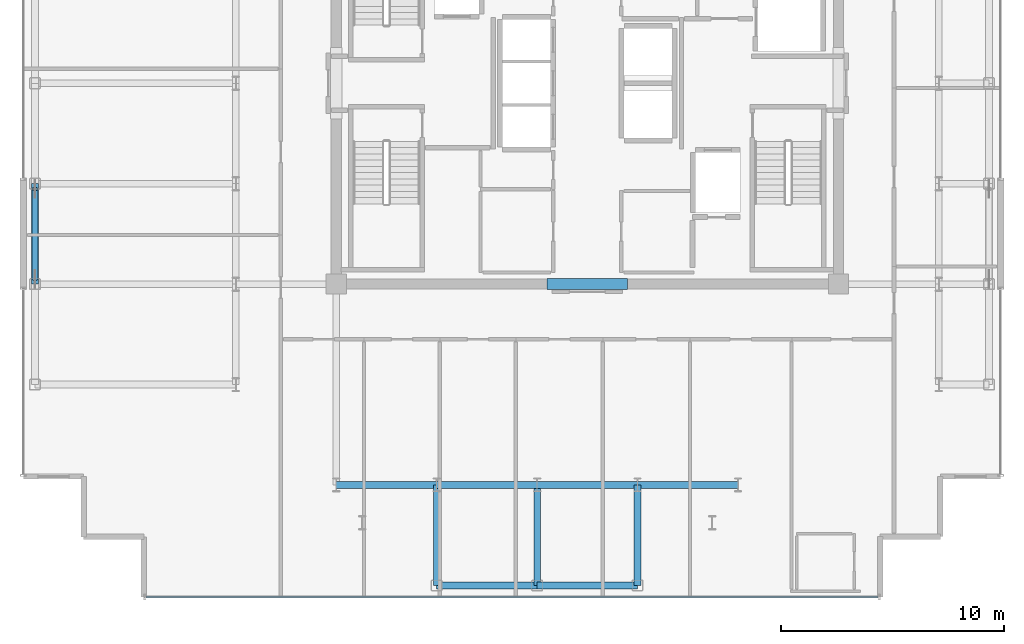
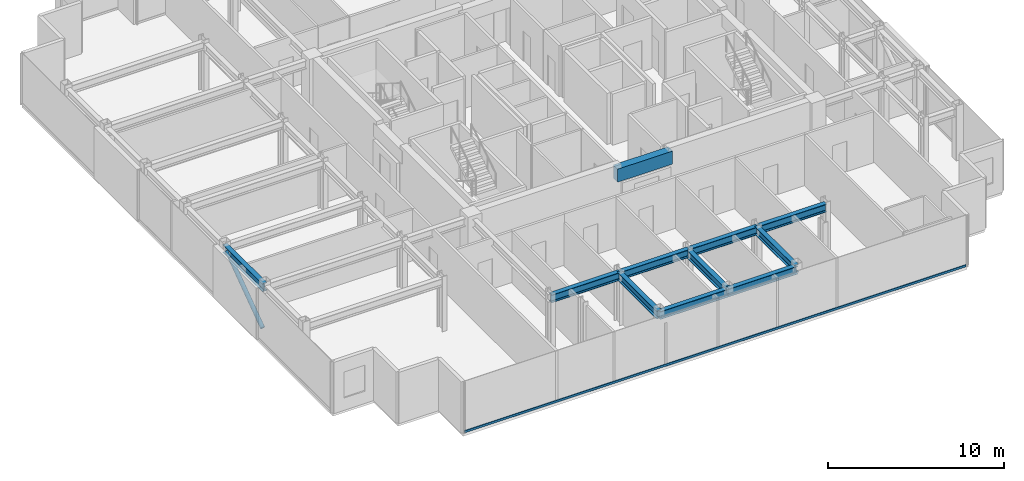
# One storey, part 3 of 16: 11 beams, 2 members, 1 element without a shape of its own.
"""IFC4 building model written with IfcOpenShell, lengths in metres."""

from ifc_helpers import new_model, si_unit, direction, frame, origin, origin_2d, place, context, subcontext, project, spatial, rectangle, hollow_rectangle, hollow_circle, i_section, extrude, source, transform, mapped, material, layer, layer_set, material_profile, profile_set, type_object, element, aggregate, save


model = new_model("IFC4")

# Units and contexts
model_context = context("Model", 3, precision=1e-05, world=origin(), true_north=direction((0.0, 1.0)))
body_context = subcontext(model_context, "Body", "Model", "MODEL_VIEW")
ifc_project = project(units=[si_unit("LENGTHUNIT", "METRE"), si_unit("AREAUNIT", "SQUARE_METRE"), si_unit("VOLUMEUNIT", "CUBIC_METRE"), si_unit("PLANEANGLEUNIT", "RADIAN"), si_unit("MASSUNIT", "GRAM", prefix="KILO")], contexts=[model_context])

# Site, building, storey
site_placement = place(None, origin())
site = spatial("IfcSite", under=ifc_project, at=site_placement, CompositionType="ELEMENT")
building_placement = place(site_placement, origin())
building = spatial("IfcBuilding", under=site, at=building_placement, Name="Nefas-Gora Pilgrimage Tower", CompositionType="ELEMENT")
storey_placement = place(building_placement, frame((0.0, 0.0, 310.199951171875)))
storey = spatial("IfcBuildingStorey", under=building, at=storey_placement, Name="L78", CompositionType="ELEMENT", Elevation=310.199951171875)

# Beam
ifc_material_1 = material(Name="Concrete C50/60", Category="concrete")
ifc_material_profile_1 = material_profile(ifc_material_1, rectangle(XDim=0.5, YDim=0.89990234375, at=origin_2d()), Name="RC 500x900")
ifc_profile_set_1 = profile_set([ifc_material_profile_1], Name="Concrete C50/60")
beam_type_1 = type_object("IfcBeamType", Name="BM-LIN-RC900", PredefinedType="LINTEL", material=ifc_profile_set_1)
shared_shape_1 = source(origin(), body_context, "Body", "SweptSolid", [
    extrude(rectangle(XDim=0.5, YDim=0.89990234375, at=origin_2d()), origin(), (0.0, 0.0, 1.0), 3.60009765625),
])
beam_placement = place(storey_placement, frame((-1.800048828125, -9.0, 3.10009765625), z_axis=(1.0, 0.0, 0.0), x_axis=(0.0, 1.0, 0.0)))
element("IfcBeam", 1, at=beam_placement, inside=storey, type_object=beam_type_1, Name="L78 Core Coupling Lintel Beam S", PredefinedType="LINTEL", context=body_context, shape_type="MappedRepresentation", body=[
    mapped(shared_shape_1, transform((0.0, 0.0, 0.0), x_axis=(1.0, 0.0, 0.0), y_axis=(0.0, 1.0, 0.0), z_axis=(0.0, 0.0, 1.0), scale=1.0)),
])

# Member
ifc_material_2 = material(Name="Steel S355", Category="steel")
ifc_material_profile_2 = material_profile(ifc_material_2, hollow_circle(Radius=0.136474609375, WallThickness=0.01611328125, at=origin_2d()), Name="CHS 273x16")
ifc_profile_set_2 = profile_set([ifc_material_profile_2], Name="Steel S355")
member_type_1 = type_object("IfcMemberType", Name="MEM-TUBE-273", PredefinedType="BRACE", material=ifc_profile_set_2)
shared_shape_2 = source(origin(), body_context, "Body", "SweptSolid", [
    extrude(hollow_circle(Radius=0.136474609375, WallThickness=0.01611328125, at=origin_2d()), origin(), (0.0, 0.0, 1.0), 4.947998046875),
])
member_1_placement = place(storey_placement, frame((-24.75, -8.761962890625, 0.3203125), z_axis=(0.0, 0.813239767156, 0.581928759485), x_axis=(-1.0, 0.0, 0.0)))
element("IfcMember", 2, at=member_1_placement, inside=storey, type_object=member_type_1, Name="L78 Perimeter Tube Diagonal Brace W1", PredefinedType="BRACE", context=body_context, shape_type="MappedRepresentation", body=[
    mapped(shared_shape_2, transform((0.0, 0.0, 0.0), x_axis=(1.0, 0.0, 0.0), y_axis=(0.0, 1.0, 0.0), z_axis=(0.0, 0.0, 1.0), scale=1.0)),
])

# Beams
ifc_material_profile_3 = material_profile(ifc_material_2, i_section(OverallWidth=0.300048828125, OverallDepth=0.550048828125, WebThickness=0.014892578125, FlangeThickness=0.029052734375, FilletRadius=0.027099609375, at=origin_2d()), Name="HEB 550")
ifc_profile_set_3 = profile_set([ifc_material_profile_3], Name="Steel S355")
beam_type_2 = type_object("IfcBeamType", Name="BM-SPN-HEB400", PredefinedType="SPANDREL", material=ifc_profile_set_3)
shared_shape_3 = source(origin(), body_context, "Body", "SweptSolid", [
    extrude(i_section(OverallWidth=0.300048828125, OverallDepth=0.550048828125, WebThickness=0.014892578125, FlangeThickness=0.029052734375, FilletRadius=0.027099609375, at=origin_2d()), origin(), (0.0, 0.0, 1.0), 4.5),
])
for number, where, z_axis, x_axis, name in (
    (3, (-24.75, -9.0, 3.275146484375), (0.0, 1.0, 0.0), (-1.0, 0.0, 0.0), "L78 SP-04 beam"),
    (4, (-6.75, -22.5, 3.275146484375), (1.0, 0.0, 0.0), (0.0, 1.0, 0.0), "L78 SP-04 beam"),
    (5, (-2.25, -22.5, 3.275146484375), (1.0, 0.0, 0.0), (0.0, 1.0, 0.0), "L78 SP-04 beam"),
):
    element("IfcBeam", number, at=place(storey_placement, frame(where, z_axis=z_axis, x_axis=x_axis)), inside=storey, type_object=beam_type_2, Name=name, PredefinedType="SPANDREL", context=body_context, shape_type="MappedRepresentation", body=[
        mapped(shared_shape_3, transform((0.0, 0.0, 0.0), x_axis=(1.0, 0.0, 0.0), y_axis=(0.0, 1.0, 0.0), z_axis=(0.0, 0.0, 1.0), scale=1.0)),
    ])
ifc_material_profile_4 = material_profile(ifc_material_2, i_section(OverallWidth=0.300048828125, OverallDepth=0.550048828125, WebThickness=0.014892578125, FlangeThickness=0.029052734375, FilletRadius=0.027099609375, at=origin_2d()), Name="HEB 550")
ifc_profile_set_4 = profile_set([ifc_material_profile_4], Name="Steel S355")
beam_type_3 = type_object("IfcBeamType", Name="BM-GIR-HEB550", PredefinedType="BEAM", material=ifc_profile_set_4)
shared_shape_4 = source(origin(), body_context, "Body", "SweptSolid", [
    extrude(i_section(OverallWidth=0.300048828125, OverallDepth=0.550048828125, WebThickness=0.014892578125, FlangeThickness=0.029052734375, FilletRadius=0.027099609375, at=origin_2d()), origin(), (0.0, 0.0, 1.0), 4.5),
])
for number, where, z_axis, x_axis, name in (
    (6, (-11.25, -18.0, 3.275146484375), (1.0, 0.0, 0.0), (0.0, 1.0, 0.0), "L78 G-05 beam"),
    (7, (-6.75, -22.5, 3.275146484375), (0.0, 1.0, 0.0), (-1.0, 0.0, 0.0), "L78 G-05 beam"),
    (8, (-6.75, -18.0, 3.275146484375), (1.0, 0.0, 0.0), (0.0, 1.0, 0.0), "L78 G-05 beam"),
    (9, (-2.25, -22.5, 3.275146484375), (0.0, 1.0, 0.0), (-1.0, 0.0, 0.0), "L78 G-05 beam"),
    (10, (-2.25, -18.0, 3.275146484375), (1.0, 0.0, 0.0), (0.0, 1.0, 0.0), "L78 G-05 beam"),
    (11, (2.25, -22.5, 3.275146484375), (0.0, 1.0, 0.0), (-1.0, 0.0, 0.0), "L78 G-05 beam"),
    (12, (2.25, -18.0, 3.275146484375), (1.0, 0.0, 0.0), (0.0, 1.0, 0.0), "L78 G-05 beam"),
):
    element("IfcBeam", number, at=place(storey_placement, frame(where, z_axis=z_axis, x_axis=x_axis)), inside=storey, type_object=beam_type_3, Name=name, PredefinedType="BEAM", context=body_context, shape_type="MappedRepresentation", body=[
        mapped(shared_shape_4, transform((0.0, 0.0, 0.0), x_axis=(1.0, 0.0, 0.0), y_axis=(0.0, 1.0, 0.0), z_axis=(0.0, 0.0, 1.0), scale=1.0)),
    ])

# Curtain wall, member
ifc_material_3 = material(Name="Dark ceramic-fritted solar-control aluminium-glass curtain wall", Category="aluminium")
ifc_layer = layer(ifc_material_3, 0.219970703125)
ifc_layer_set = layer_set([ifc_layer], Name="Dark ceramic-fritted solar-control aluminium-glass curtain wall")
curtain_wall_type = type_object("IfcCurtainWallType", Name="CW-SYS-4", PredefinedType="NOTDEFINED", material=ifc_layer_set)
curtain_wall_placement = place(storey_placement, origin())
curtain_wall = element("IfcCurtainWall", 13, at=curtain_wall_placement, inside=storey, type_object=curtain_wall_type, Name="L78 Unitised Curtain Wall CW4", PredefinedType="NOTDEFINED")
ifc_material_4 = material(Name="Anodised architectural aluminium", Category="aluminium")
ifc_material_profile_5 = material_profile(ifc_material_4, hollow_rectangle(XDim=0.080078125, YDim=0.159912109375, WallThickness=0.00439453125, InnerFilletRadius=0.00439453125, OuterFilletRadius=0.009033203125, at=origin_2d()), Name="ALU TRANSOM 80x160")
ifc_profile_set_5 = profile_set([ifc_material_profile_5], Name="Anodised architectural aluminium")
member_type_2 = type_object("IfcMemberType", Name="CWM-TRN-4", PredefinedType="USERDEFINED", material=ifc_profile_set_5)
shared_shape_5 = source(origin(), body_context, "Body", "SweptSolid", [
    extrude(hollow_rectangle(XDim=0.080078125, YDim=0.159912109375, WallThickness=0.00439453125, InnerFilletRadius=0.00439453125, OuterFilletRadius=0.009033203125, at=origin_2d()), origin(), (0.0, 0.0, 1.0), 32.81005859375),
])
member_2_placement = place(storey_placement, frame((-19.780029296875, -23.02001953125, 0.050048828125), z_axis=(1.0, 0.0, 0.0), x_axis=(0.0, 1.0, 0.0)))
member_2 = element("IfcMember", 14, at=member_2_placement, type_object=member_type_2, Name="CW4 Spandrel Transom", ObjectType="TRANSOM", PredefinedType="USERDEFINED", context=body_context, shape_type="MappedRepresentation", body=[
    mapped(shared_shape_5, transform((0.0, 0.0, 0.0), x_axis=(1.0, 0.0, 0.0), y_axis=(0.0, 1.0, 0.0), z_axis=(0.0, 0.0, 1.0), scale=1.0)),
])
aggregate(curtain_wall, [member_2])

save(model, "model.ifc")
